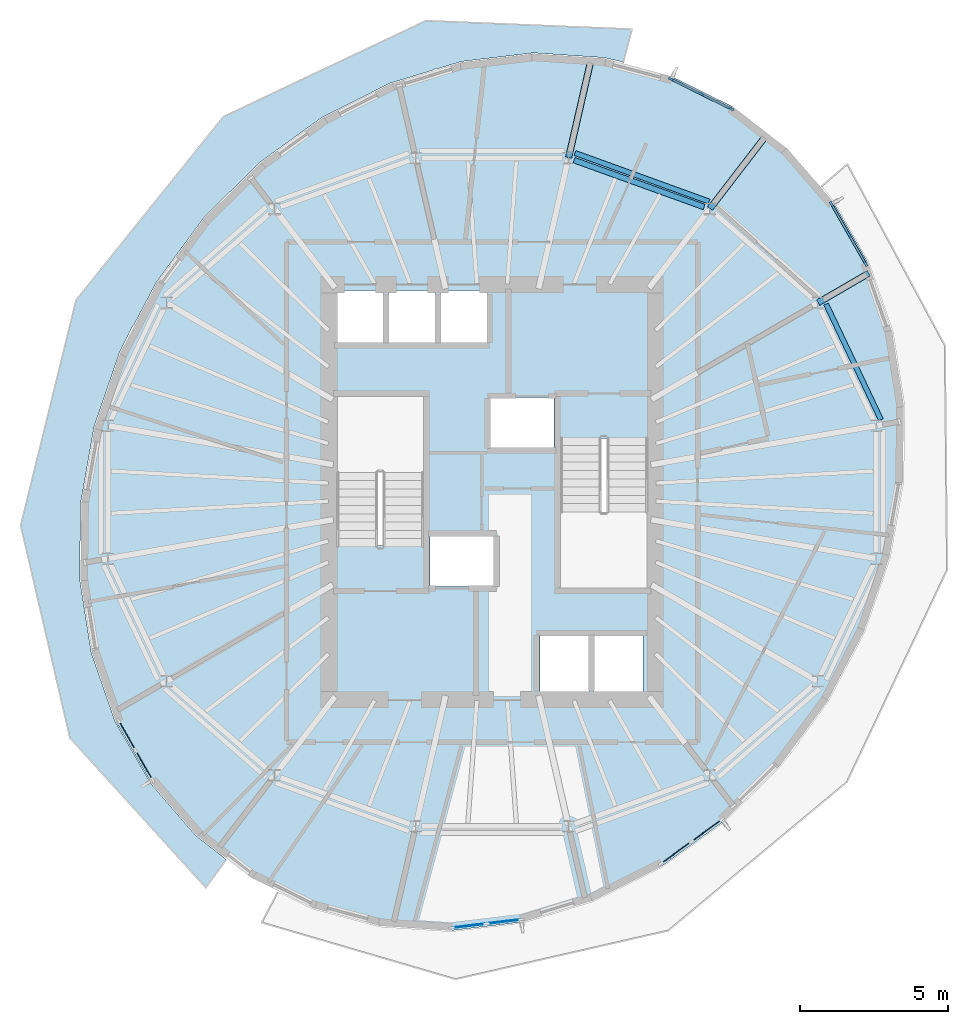
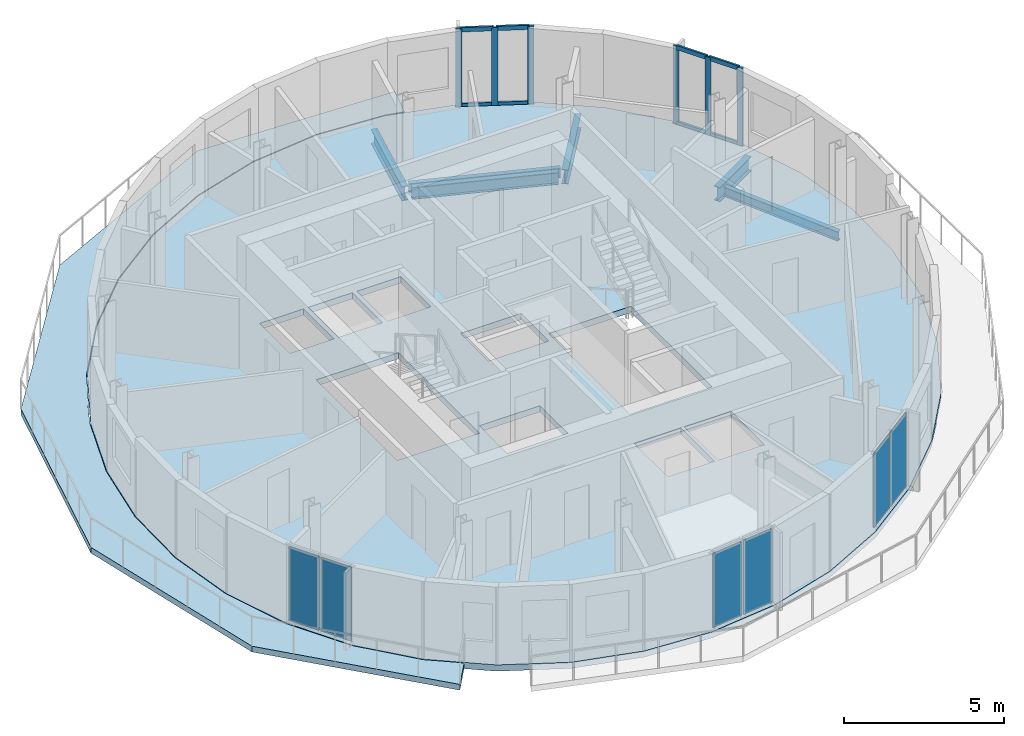
# One storey, part 3 of 9: 14 members, 6 beams, 6 plates, 2 slabs, 5 elements without a shape of their own.
"""IFC4 building model written with IfcOpenShell, lengths in metres."""

from ifc_helpers import new_model, si_unit, direction, frame, origin, origin_2d, place, context, subcontext, project, spatial, polyline, rectangle, i_section, outline, extrude, material, layer, layer_set, material_profile, profile_set, type_object, element, aggregate, save


model = new_model("IFC4")

# Units and contexts
model_context = context("Model", 3, precision=1e-05, world=origin(), true_north=direction((0.0, 1.0)))
body_context = subcontext(model_context, "Body", "Model", "MODEL_VIEW")
ifc_project = project(units=[si_unit("LENGTHUNIT", "METRE"), si_unit("AREAUNIT", "SQUARE_METRE"), si_unit("VOLUMEUNIT", "CUBIC_METRE"), si_unit("PLANEANGLEUNIT", "RADIAN"), si_unit("MASSUNIT", "GRAM", prefix="KILO")], contexts=[model_context])

# Site, building, storey
site_placement = place(None, origin())
site = spatial("IfcSite", under=ifc_project, at=site_placement, CompositionType="ELEMENT")
building_placement = place(site_placement, origin())
building = spatial("IfcBuilding", under=site, at=building_placement, Name="Veldorim Arch Residences", CompositionType="ELEMENT")
storey_placement = place(building_placement, frame((0.0, 0.0, 233.43994140625)))
storey = spatial("IfcBuildingStorey", under=building, at=storey_placement, Name="L70", CompositionType="ELEMENT", Elevation=233.43994140625)

# Beams
ifc_material_1 = material(Name="Steel S355", Category="steel")
ifc_material_profile_1 = material_profile(ifc_material_1, i_section(OverallWidth=0.2119140625, OverallDepth=0.54443359375, WebThickness=0.0126953125, FlangeThickness=0.021240234375, at=origin_2d()), Name="UB533x210x122")
ifc_profile_set_1 = profile_set([ifc_material_profile_1], Name="Steel S355")
beam_type_1 = type_object("IfcBeamType", Name="Structural Steel Beam UB533x210x122", PredefinedType="BEAM", material=ifc_profile_set_1)
beam_1_placement = place(storey_placement, frame((42.99267578125, 30.387939453125, -0.51220703125), z_axis=(0.864644868068, 0.502383570714, 0.0), x_axis=(-0.502383570714, 0.864644868068, 0.0)))
element("IfcBeam", 1, at=beam_1_placement, inside=storey, type_object=beam_type_1, Name="L70 radial edge cantilever girder 02", PredefinedType="BEAM", context=body_context, shape_type="SweptSolid", body=[
    extrude(i_section(OverallWidth=0.2119140625, OverallDepth=0.54443359375, WebThickness=0.0126953125, FlangeThickness=0.021240234375, at=origin_2d()), origin(), (0.0, 0.0, 1.0), 1.970703125),
])
beam_2_placement = place(storey_placement, frame((39.345703125, 33.561279296875, -0.51220703125), z_axis=(0.609263326719, 0.792967968278, 0.0), x_axis=(-0.792967968278, 0.609263326719, 0.0)))
element("IfcBeam", 2, at=beam_2_placement, inside=storey, type_object=beam_type_1, Name="L70 radial edge cantilever girder 03", PredefinedType="BEAM", context=body_context, shape_type="SweptSolid", body=[
    extrude(i_section(OverallWidth=0.2119140625, OverallDepth=0.54443359375, WebThickness=0.0126953125, FlangeThickness=0.021240234375, at=origin_2d()), origin(), (0.0, 0.0, 1.0), 3.0859375),
])
beam_3_placement = place(storey_placement, frame((34.57958984375, 35.27880859375, -0.51220703125), z_axis=(0.222994562623, 0.974819688476, 0.0), x_axis=(-0.974819688476, 0.222994562623, 0.0)))
element("IfcBeam", 3, at=beam_3_placement, inside=storey, type_object=beam_type_1, Name="L70 radial edge cantilever girder 04", PredefinedType="BEAM", context=body_context, shape_type="SweptSolid", body=[
    extrude(i_section(OverallWidth=0.2119140625, OverallDepth=0.54443359375, WebThickness=0.0126953125, FlangeThickness=0.021240234375, at=origin_2d()), origin(), (0.0, 0.0, 1.0), 3.280029296875),
])
ifc_material_2 = material(Name="Steel S355", Category="steel")
ifc_material_profile_2 = material_profile(ifc_material_2, i_section(OverallWidth=0.172119140625, OverallDepth=0.35791015625, WebThickness=0.008056640625, FlangeThickness=0.012939453125, at=origin_2d()), Name="UB356x171x57")
ifc_profile_set_2 = profile_set([ifc_material_profile_2], Name="Steel S355")
beam_type_2 = type_object("IfcBeamType", Name="Structural Steel Spandrel UB356x171x57", PredefinedType="SPANDREL", material=ifc_profile_set_2)
beam_4_placement = place(storey_placement, frame((45.107666015625, 26.439208984375, -0.43896484375), z_axis=(-0.428453398876, 0.903563879862, 0.0), x_axis=(-0.903563879862, -0.428453398876, 0.0)))
element("IfcBeam", 4, at=beam_4_placement, inside=storey, type_object=beam_type_2, Name="L70 perimeter chord spandrel beam 01", PredefinedType="SPANDREL", context=body_context, shape_type="SweptSolid", body=[
    extrude(i_section(OverallWidth=0.172119140625, OverallDepth=0.35791015625, WebThickness=0.008056640625, FlangeThickness=0.012939453125, at=origin_2d()), origin(), (0.0, 0.0, 1.0), 4.31689453125),
])
beam_5_placement = place(storey_placement, frame((39.314697265625, 33.79541015625, -0.43896484375), z_axis=(-0.940181197783, 0.340674794099, 0.0), x_axis=(-0.340674794099, -0.940181197783, 0.0)))
element("IfcBeam", 5, at=beam_5_placement, inside=storey, type_object=beam_type_2, Name="L70 perimeter chord spandrel beam 03", PredefinedType="SPANDREL", context=body_context, shape_type="SweptSolid", body=[
    extrude(i_section(OverallWidth=0.172119140625, OverallDepth=0.35791015625, WebThickness=0.008056640625, FlangeThickness=0.012939453125, at=origin_2d()), origin(), (0.0, 0.0, 1.0), 4.80859375),
])
ifc_material_3 = material(Name="Steel S355", Category="steel")
ifc_material_profile_3 = material_profile(ifc_material_3, i_section(OverallWidth=0.19140625, OverallDepth=0.4599609375, WebThickness=0.010009765625, FlangeThickness=0.01611328125, at=origin_2d()), Name="UB457x191x82")
ifc_profile_set_3 = profile_set([ifc_material_profile_3], Name="Steel S355")
beam_type_3 = type_object("IfcBeamType", Name="Structural Steel Spandrel UB457x191x82", PredefinedType="SPANDREL", material=ifc_profile_set_3)
beam_6_placement = place(storey_placement, frame((39.145751953125, 33.61279296875, -0.469970703125), z_axis=(-0.940799194754, 0.338964415757, 0.0), x_axis=(-0.338964415757, -0.940799194754, 0.0)))
element("IfcBeam", 6, at=beam_6_placement, inside=storey, type_object=beam_type_3, Name="L70 perimeter ring tie beam 03", PredefinedType="SPANDREL", context=body_context, shape_type="SweptSolid", body=[
    extrude(i_section(OverallWidth=0.19140625, OverallDepth=0.4599609375, WebThickness=0.010009765625, FlangeThickness=0.01611328125, at=origin_2d()), origin(), (0.0, 0.0, 1.0), 4.65869140625),
])

# Curtain wall, members
ifc_material_4 = material(Name="Aluminium", Category="aluminium")
curtain_wall_type = type_object("IfcCurtainWallType", Name="Zone 4 High-Altitude Unitised Curtain Wall", PredefinedType="NOTDEFINED", material=ifc_material_4)
curtain_wall_1_placement = place(storey_placement, origin())
curtain_wall_1 = element("IfcCurtainWall", 7, at=curtain_wall_1_placement, inside=storey, type_object=curtain_wall_type, Name="L70 unitised curtain wall bay 01", PredefinedType="NOTDEFINED")
ifc_material_5 = material(Name="Aluminium", Category="aluminium")
ifc_material_profile_4 = material_profile(ifc_material_5, rectangle(XDim=0.074951171875, YDim=0.195068359375, at=origin_2d()), Name="ALU_MUL_75x195")
ifc_profile_set_4 = profile_set([ifc_material_profile_4], Name="Aluminium")
member_type_1 = type_object("IfcMemberType", Name="Zone 4 High-Altitude Unitised Curtain Wall Mullion 75x195", PredefinedType="MULLION", material=ifc_profile_set_4)
member_1_placement = place(storey_placement, frame((38.037109375, 37.9189453125, 0.0), z_axis=(0.0, 0.0, 1.0), x_axis=(0.442992925285, 0.896525107372, 0.0)))
member_1 = element("IfcMember", 8, at=member_1_placement, type_object=member_type_1, Name="CW-Z4 mullion 1", PredefinedType="MULLION", context=body_context, shape_type="SweptSolid", body=[
    extrude(rectangle(XDim=0.074951171875, YDim=0.195068359375, at=origin_2d()), origin(), (0.0, 0.0, 1.0), 2.9599609375),
])
member_2_placement = place(storey_placement, frame((39.04541015625, 37.420654296875, 0.0), z_axis=(0.0, 0.0, 1.0), x_axis=(0.442992925285, 0.896525107372, 0.0)))
member_2 = element("IfcMember", 9, at=member_2_placement, type_object=member_type_1, Name="CW-Z4 mullion 2", PredefinedType="MULLION", context=body_context, shape_type="SweptSolid", body=[
    extrude(rectangle(XDim=0.074951171875, YDim=0.195068359375, at=origin_2d()), origin(), (0.0, 0.0, 1.0), 2.9599609375),
])
member_3_placement = place(storey_placement, frame((40.053955078125, 36.92236328125, 0.0), z_axis=(0.0, 0.0, 1.0), x_axis=(0.442992925285, 0.896525107372, 0.0)))
member_3 = element("IfcMember", 10, at=member_3_placement, type_object=member_type_1, Name="CW-Z4 mullion 3", PredefinedType="MULLION", context=body_context, shape_type="SweptSolid", body=[
    extrude(rectangle(XDim=0.074951171875, YDim=0.195068359375, at=origin_2d()), origin(), (0.0, 0.0, 1.0), 2.9599609375),
])

curtain_wall_2_placement = place(storey_placement, origin())
curtain_wall_2 = element("IfcCurtainWall", 11, at=curtain_wall_2_placement, inside=storey, type_object=curtain_wall_type, Name="L70 unitised curtain wall bay 34", PredefinedType="NOTDEFINED")
member_4_placement = place(storey_placement, frame((43.439697265625, 33.709228515625, 0.0), z_axis=(0.0, 0.0, 1.0), x_axis=(0.868165815249, 0.496274235915, 0.0)))
member_4 = element("IfcMember", 12, at=member_4_placement, type_object=member_type_1, Name="CW-Z4 mullion 1", PredefinedType="MULLION", context=body_context, shape_type="SweptSolid", body=[
    extrude(rectangle(XDim=0.074951171875, YDim=0.195068359375, at=origin_2d()), origin(), (0.0, 0.0, 1.0), 2.9599609375),
])
member_5_placement = place(storey_placement, frame((44.013427734375, 32.705078125, 0.0), z_axis=(0.0, 0.0, 1.0), x_axis=(0.868165815249, 0.496274235915, 0.0)))
member_5 = element("IfcMember", 13, at=member_5_placement, type_object=member_type_1, Name="CW-Z4 mullion 2", PredefinedType="MULLION", context=body_context, shape_type="SweptSolid", body=[
    extrude(rectangle(XDim=0.074951171875, YDim=0.195068359375, at=origin_2d()), origin(), (0.0, 0.0, 1.0), 2.9599609375),
])
member_6_placement = place(storey_placement, frame((44.58740234375, 31.701171875, 0.0), z_axis=(0.0, 0.0, 1.0), x_axis=(0.868165815249, 0.496274235915, 0.0)))
member_6 = element("IfcMember", 14, at=member_6_placement, type_object=member_type_1, Name="CW-Z4 mullion 3", PredefinedType="MULLION", context=body_context, shape_type="SweptSolid", body=[
    extrude(rectangle(XDim=0.074951171875, YDim=0.195068359375, at=origin_2d()), origin(), (0.0, 0.0, 1.0), 2.9599609375),
])

# Member
ifc_material_6 = material(Name="Aluminium", Category="aluminium")
ifc_material_profile_5 = material_profile(ifc_material_6, rectangle(XDim=0.074951171875, YDim=0.1650390625, at=origin_2d()), Name="ALU_TRN_75x165")
ifc_profile_set_5 = profile_set([ifc_material_profile_5], Name="Aluminium")
member_type_2 = type_object("IfcMemberType", Name="Zone 4 High-Altitude Unitised Curtain Wall Transom 75x165", PredefinedType="USERDEFINED", material=ifc_profile_set_5)
member_7_placement = place(storey_placement, frame((38.070556640625, 37.90234375, 0.03759765625), z_axis=(0.896510415752, -0.443022656811, 0.0), x_axis=(0.443022656811, 0.896510415752, 0.0)))
member_7 = element("IfcMember", 15, at=member_7_placement, type_object=member_type_2, Name="CW-Z4 transom 1.1", ObjectType="TRANSOM", PredefinedType="USERDEFINED", context=body_context, shape_type="SweptSolid", body=[
    extrude(rectangle(XDim=0.074951171875, YDim=0.1650390625, at=origin_2d()), origin(), (0.0, 0.0, 1.0), 1.0498046875),
])

member_8_placement = place(storey_placement, frame((38.070556640625, 37.90234375, 2.922607421875), z_axis=(0.896510415752, -0.443022656811, 0.0), x_axis=(0.443022656811, 0.896510415752, 0.0)))
member_8 = element("IfcMember", 16, at=member_8_placement, type_object=member_type_2, Name="CW-Z4 transom 1.2", ObjectType="TRANSOM", PredefinedType="USERDEFINED", context=body_context, shape_type="SweptSolid", body=[
    extrude(rectangle(XDim=0.074951171875, YDim=0.1650390625, at=origin_2d()), origin(), (0.0, 0.0, 1.0), 1.0498046875),
])

member_9_placement = place(storey_placement, frame((39.0791015625, 37.404052734375, 0.03759765625), z_axis=(0.896510415752, -0.443022656811, 0.0), x_axis=(0.443022656811, 0.896510415752, 0.0)))
member_9 = element("IfcMember", 17, at=member_9_placement, type_object=member_type_2, Name="CW-Z4 transom 2.1", ObjectType="TRANSOM", PredefinedType="USERDEFINED", context=body_context, shape_type="SweptSolid", body=[
    extrude(rectangle(XDim=0.074951171875, YDim=0.1650390625, at=origin_2d()), origin(), (0.0, 0.0, 1.0), 1.0498046875),
])

member_10_placement = place(storey_placement, frame((39.0791015625, 37.404052734375, 2.922607421875), z_axis=(0.896510415752, -0.443022656811, 0.0), x_axis=(0.443022656811, 0.896510415752, 0.0)))
member_10 = element("IfcMember", 18, at=member_10_placement, type_object=member_type_2, Name="CW-Z4 transom 2.2", ObjectType="TRANSOM", PredefinedType="USERDEFINED", context=body_context, shape_type="SweptSolid", body=[
    extrude(rectangle(XDim=0.074951171875, YDim=0.1650390625, at=origin_2d()), origin(), (0.0, 0.0, 1.0), 1.0498046875),
])

aggregate(curtain_wall_1, [member_1, member_2, member_3, member_7, member_8, member_9, member_10])

member_11_placement = place(storey_placement, frame((43.458251953125, 33.676513671875, 0.03759765625), z_axis=(0.496284825961, -0.868159761519, 0.0), x_axis=(0.868159761519, 0.496284825961, 0.0)))
member_11 = element("IfcMember", 19, at=member_11_placement, type_object=member_type_2, Name="CW-Z4 transom 1.1", ObjectType="TRANSOM", PredefinedType="USERDEFINED", context=body_context, shape_type="SweptSolid", body=[
    extrude(rectangle(XDim=0.074951171875, YDim=0.1650390625, at=origin_2d()), origin(), (0.0, 0.0, 1.0), 1.081298828125),
])

member_12_placement = place(storey_placement, frame((43.458251953125, 33.676513671875, 2.922607421875), z_axis=(0.496284825961, -0.868159761519, 0.0), x_axis=(0.868159761519, 0.496284825961, 0.0)))
member_12 = element("IfcMember", 20, at=member_12_placement, type_object=member_type_2, Name="CW-Z4 transom 1.2", ObjectType="TRANSOM", PredefinedType="USERDEFINED", context=body_context, shape_type="SweptSolid", body=[
    extrude(rectangle(XDim=0.074951171875, YDim=0.1650390625, at=origin_2d()), origin(), (0.0, 0.0, 1.0), 1.081298828125),
])

member_13_placement = place(storey_placement, frame((44.0322265625, 32.672607421875, 0.03759765625), z_axis=(0.496284825961, -0.868159761519, 0.0), x_axis=(0.868159761519, 0.496284825961, 0.0)))
member_13 = element("IfcMember", 21, at=member_13_placement, type_object=member_type_2, Name="CW-Z4 transom 2.1", ObjectType="TRANSOM", PredefinedType="USERDEFINED", context=body_context, shape_type="SweptSolid", body=[
    extrude(rectangle(XDim=0.074951171875, YDim=0.1650390625, at=origin_2d()), origin(), (0.0, 0.0, 1.0), 1.081298828125),
])

member_14_placement = place(storey_placement, frame((44.0322265625, 32.672607421875, 2.922607421875), z_axis=(0.496284825961, -0.868159761519, 0.0), x_axis=(0.868159761519, 0.496284825961, 0.0)))
member_14 = element("IfcMember", 22, at=member_14_placement, type_object=member_type_2, Name="CW-Z4 transom 2.2", ObjectType="TRANSOM", PredefinedType="USERDEFINED", context=body_context, shape_type="SweptSolid", body=[
    extrude(rectangle(XDim=0.074951171875, YDim=0.1650390625, at=origin_2d()), origin(), (0.0, 0.0, 1.0), 1.081298828125),
])

aggregate(curtain_wall_2, [member_4, member_5, member_6, member_11, member_12, member_13, member_14])

# Slabs
ifc_material_7 = material(Name="Concrete C40/50", Category="concrete")
ifc_layer_1 = layer(ifc_material_7, 0.219970703125, Name="Planted Crescent Cantilever Balcony Slab 220")
ifc_layer_set_1 = layer_set([ifc_layer_1], Name="Concrete C40/50")
slab_type_1 = type_object("IfcSlabType", Name="Planted Crescent Cantilever Balcony Slab 220", PredefinedType="FLOOR", material=ifc_layer_set_1)
slab_1_placement = place(storey_placement, frame((0.0, 0.0, -0.219970703125)))
element("IfcSlab", 23, at=slab_1_placement, inside=storey, type_object=slab_type_1, Name="L70 planted crescent balcony slab A", PredefinedType="FLOOR", context=body_context, shape_type="SweptSolid", body=[
    extrude(outline(polyline([(36.424072265625, 38.49560546875), (35.779541015625, 38.64501953125), (33.392333984375, 38.804931640625), (30.962890625, 38.514892578125), (30.1943359375, 38.280517578125), (30.098388671875, 38.27734375), (29.9873046875, 38.217529296875), (28.5654296875, 37.783935546875), (26.2724609375, 36.63427734375), (24.1533203125, 35.10107421875), (22.272705078125, 33.23046875), (20.6875, 31.07958984375), (19.9482421875, 29.6708984375), (19.873046875, 29.574462890625), (19.4462890625, 28.7138671875), (18.585693359375, 26.204833984375), (18.1328125, 23.62890625), (18.101318359375, 21.06396484375), (18.491943359375, 18.587890625), (19.29296875, 16.276123046875), (20.48046875, 14.19921875), (22.01806640625, 12.419677734375), (22.94970703125, 11.697509765625), (23.0302734375, 11.593994140625), (22.34716796875, 10.6689453125), (17.771484375, 15.711181640625), (16.109619140625, 22.878173828125), (17.97998046875, 30.48291015625), (22.940673828125, 36.65576171875), (29.76806640625, 39.8916015625), (36.718505859375, 39.607177734375), (36.424072265625, 38.49560546875)])), origin(), (0.0, 0.0, 1.0), 0.219970703125),
])
ifc_material_8 = material(Name="Concrete C40/50", Category="concrete")
ifc_layer_2 = layer(ifc_material_8, 0.239990234375, Name="Typical Residential Floor Slab 240")
ifc_layer_set_2 = layer_set([ifc_layer_2], Name="Concrete C40/50")
slab_type_2 = type_object("IfcSlabType", Name="Typical Residential Floor Slab 240", PredefinedType="FLOOR", material=ifc_layer_set_2)
slab_2_placement = place(storey_placement, frame((0.0, 0.0, -0.239990234375)))
element("IfcSlab", 24, at=slab_2_placement, inside=storey, type_object=slab_type_2, Name="L70 tower structural floor slab", PredefinedType="FLOOR", context=body_context, shape_type="SweptSolid", body=[
    extrude(outline(polyline([(40.12744140625, 36.986328125), (38.043212890625, 38.01611328125), (35.775390625, 38.6201171875), (33.39306640625, 38.77978515625), (30.96826171875, 38.490478515625), (28.57470703125, 37.7607421875), (26.285400390625, 36.61279296875), (24.169677734375, 35.081787109375), (22.291748046875, 33.214111328125), (20.708984375, 31.06640625), (19.46923828125, 28.7041015625), (18.610107421875, 26.198486328125), (18.157958984375, 23.62646484375), (18.126220703125, 21.065673828125), (18.516357421875, 18.593994140625), (19.31591796875, 16.28662109375), (20.5009765625, 14.213623046875), (22.035400390625, 12.43798828125), (23.87255859375, 11.013671875), (25.956787109375, 9.98388671875), (28.224609375, 9.3798828125), (30.60693359375, 9.22021484375), (33.03173828125, 9.509521484375), (35.42529296875, 10.2392578125), (37.714599609375, 11.38720703125), (39.830322265625, 12.918212890625), (41.708251953125, 14.785888671875), (43.291015625, 16.93359375), (44.53076171875, 19.2958984375), (45.389892578125, 21.801513671875), (45.842041015625, 24.37353515625), (45.873779296875, 26.934326171875), (45.483642578125, 29.406005859375), (44.68408203125, 31.71337890625), (43.4990234375, 33.786376953125), (41.964599609375, 35.56201171875), (40.12744140625, 36.986328125)]), holes=[polyline([(33.610107421875, 17.2099609375), (33.610107421875, 19.2900390625), (35.2900390625, 19.2900390625), (35.2900390625, 17.2099609375), (33.610107421875, 17.2099609375)]), polyline([(35.409912109375, 17.2099609375), (35.409912109375, 19.2900390625), (37.090087890625, 19.2900390625), (37.090087890625, 17.2099609375), (35.409912109375, 17.2099609375)]), polyline([(29.909912109375, 20.81494140625), (29.909912109375, 22.544921875), (32.090087890625, 22.544921875), (32.090087890625, 20.81494140625), (29.909912109375, 20.81494140625)]), polyline([(34.2900390625, 20.75), (34.2900390625, 25.804931640625), (37.25, 25.804931640625), (37.25, 20.75), (34.2900390625, 20.75)]), polyline([(26.75, 22.195068359375), (26.75, 27.25), (29.7099609375, 27.25), (29.7099609375, 22.195068359375), (26.75, 22.195068359375)]), polyline([(31.909912109375, 25.455078125), (31.909912109375, 27.18505859375), (34.090087890625, 27.18505859375), (34.090087890625, 25.455078125), (31.909912109375, 25.455078125)]), polyline([(26.760009765625, 28.909912109375), (26.760009765625, 30.7900390625), (28.340087890625, 30.7900390625), (28.340087890625, 28.909912109375), (26.760009765625, 28.909912109375)]), polyline([(28.510009765625, 30.7900390625), (30.090087890625, 30.7900390625), (30.090087890625, 28.909912109375), (28.510009765625, 28.909912109375), (28.510009765625, 30.7900390625)]), polyline([(30.260009765625, 30.7900390625), (31.840087890625, 30.7900390625), (31.840087890625, 28.909912109375), (30.260009765625, 28.909912109375), (30.260009765625, 30.7900390625)])]), origin(), (0.0, 0.0, 1.0), 0.239990234375),
])

# Curtain wall, plates
curtain_wall_3_placement = place(storey_placement, origin())
curtain_wall_3 = element("IfcCurtainWall", 25, at=curtain_wall_3_placement, inside=storey, type_object=curtain_wall_type, Name="L70 unitised curtain wall bay 16", PredefinedType="NOTDEFINED")
ifc_material_9 = material(Name="Laminated Low-E Glass", Category="glass")
ifc_layer_3 = layer(ifc_material_9, 0.030029296875, Name="Zone 4 High-Altitude Unitised Curtain Wall Glazing Panel 30")
ifc_layer_set_3 = layer_set([ifc_layer_3], Name="Laminated Low-E Glass")
plate_type = type_object("IfcPlateType", Name="Zone 4 High-Altitude Unitised Curtain Wall Glazing Panel 30", PredefinedType="CURTAIN_PANEL", material=ifc_layer_set_3)
plate_1_placement = place(storey_placement, frame((20.2734375, 14.792724609375, 0.074951171875), z_axis=(0.0, 0.0, 1.0), x_axis=(-0.496274235915, 0.868165815249, 0.0)))
plate_1 = element("IfcPlate", 26, at=plate_1_placement, type_object=plate_type, Name="CW-Z4 panel 1.1", PredefinedType="CURTAIN_PANEL", context=body_context, shape_type="SweptSolid", body=[
    extrude(rectangle(XDim=1.081298828125, YDim=0.030029296875, at=origin_2d()), origin(), (0.0, 0.0, 1.0), 2.81005859375),
])
plate_2_placement = place(storey_placement, frame((19.699462890625, 15.796875, 0.074951171875), z_axis=(0.0, 0.0, 1.0), x_axis=(-0.496274235915, 0.868165815249, 0.0)))
plate_2 = element("IfcPlate", 27, at=plate_2_placement, type_object=plate_type, Name="CW-Z4 panel 2.1", PredefinedType="CURTAIN_PANEL", context=body_context, shape_type="SweptSolid", body=[
    extrude(rectangle(XDim=1.081298828125, YDim=0.030029296875, at=origin_2d()), origin(), (0.0, 0.0, 1.0), 2.81005859375),
])
aggregate(curtain_wall_3, [plate_1, plate_2])

curtain_wall_4_placement = place(storey_placement, origin())
curtain_wall_4 = element("IfcCurtainWall", 28, at=curtain_wall_4_placement, inside=storey, type_object=curtain_wall_type, Name="L70 unitised curtain wall bay 22", PredefinedType="NOTDEFINED")
plate_3_placement = place(storey_placement, frame((32.396240234375, 9.5244140625, 0.074951171875), z_axis=(0.0, 0.0, 1.0), x_axis=(-0.992952979721, -0.11850898727, 0.0)))
plate_3 = element("IfcPlate", 29, at=plate_3_placement, type_object=plate_type, Name="CW-Z4 panel 1.1", PredefinedType="CURTAIN_PANEL", context=body_context, shape_type="SweptSolid", body=[
    extrude(rectangle(XDim=1.1083984375, YDim=0.030029296875, at=origin_2d()), origin(), (0.0, 0.0, 1.0), 2.81005859375),
])
plate_4_placement = place(storey_placement, frame((31.22119140625, 9.38427734375, 0.074951171875), z_axis=(0.0, 0.0, 1.0), x_axis=(-0.992952979721, -0.11850898727, 0.0)))
plate_4 = element("IfcPlate", 30, at=plate_4_placement, type_object=plate_type, Name="CW-Z4 panel 2.1", PredefinedType="CURTAIN_PANEL", context=body_context, shape_type="SweptSolid", body=[
    extrude(rectangle(XDim=1.1083984375, YDim=0.030029296875, at=origin_2d()), origin(), (0.0, 0.0, 1.0), 2.81005859375),
])
aggregate(curtain_wall_4, [plate_3, plate_4])

curtain_wall_5_placement = place(storey_placement, origin())
curtain_wall_5 = element("IfcCurtainWall", 31, at=curtain_wall_5_placement, inside=storey, type_object=curtain_wall_type, Name="L70 unitised curtain wall bay 25", PredefinedType="NOTDEFINED")
plate_5_placement = place(storey_placement, frame((39.2333984375, 12.59716796875, 0.074951171875), z_axis=(0.0, 0.0, 1.0), x_axis=(-0.810147800363, -0.586225674606, 0.0)))
plate_5 = element("IfcPlate", 32, at=plate_5_placement, type_object=plate_type, Name="CW-Z4 panel 1.1", PredefinedType="CURTAIN_PANEL", context=body_context, shape_type="SweptSolid", body=[
    extrude(rectangle(XDim=1.193359375, YDim=0.030029296875, at=origin_2d()), origin(), (0.0, 0.0, 1.0), 2.81005859375),
])
plate_6_placement = place(storey_placement, frame((38.2060546875, 11.853759765625, 0.074951171875), z_axis=(0.0, 0.0, 1.0), x_axis=(-0.810147800363, -0.586225674606, 0.0)))
plate_6 = element("IfcPlate", 33, at=plate_6_placement, type_object=plate_type, Name="CW-Z4 panel 2.1", PredefinedType="CURTAIN_PANEL", context=body_context, shape_type="SweptSolid", body=[
    extrude(rectangle(XDim=1.193359375, YDim=0.030029296875, at=origin_2d()), origin(), (0.0, 0.0, 1.0), 2.81005859375),
])
aggregate(curtain_wall_5, [plate_5, plate_6])

save(model, "model.ifc")
